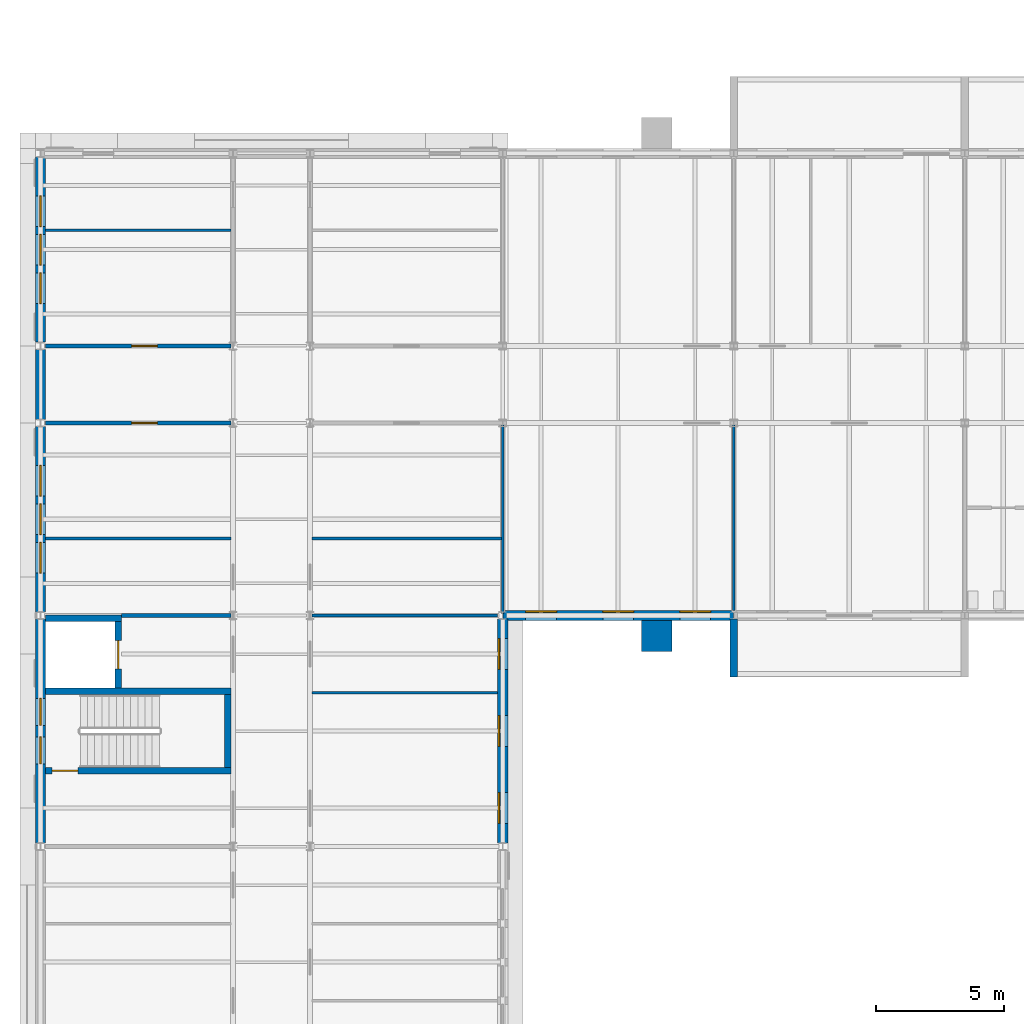
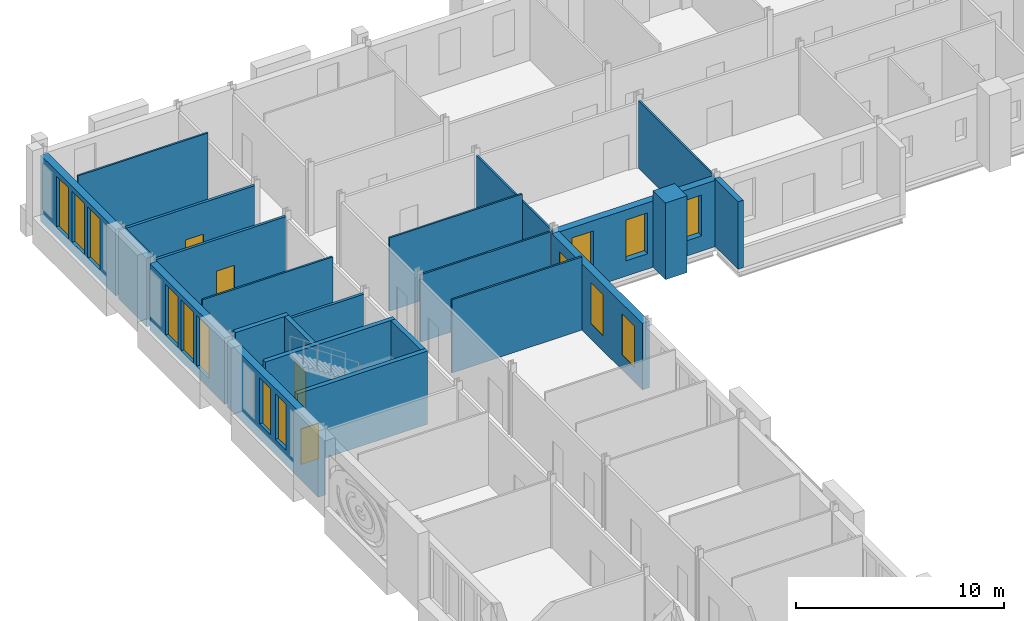
# One storey, part 81 of 131: 23 walls, 14 windows, 4 doors, 18 openings.
"""IFC4 building model written with IfcOpenShell, lengths in metres."""

import ifcopenshell
import ifcopenshell.guid

model = None  # the IFC model being written
_history = None  # IfcOwnerHistory: only IFC2X3 demands one
_inside = {}  # id of a spatial element -> (the spatial element, [elements in it])
_under = {}  # id of a project, library or spatial element -> (it, [spatial elements below it])
_declared = {}  # id of a project -> (the project, [libraries it declares])
_typed = {}  # id of a type object -> (the type object, [elements of that type])
_made_of = {}  # id of a material, layer set ... -> (it, [elements and type objects made of it])


def new_model(schema):
    """Start an empty IFC model of exactly this schema.

    Asked for "IFC4X3", IfcOpenShell would pick the latest addendum, in which some entities
    have other attributes; the version numbers below select the first issue.
    IFC2X3 requires an IfcOwnerHistory on every rooted entity: one is made here for all.
    """
    global model, _history
    if schema == "IFC4X3":
        model = ifcopenshell.file(schema_version=(4, 3, 0, 0))
    else:
        model = ifcopenshell.file(schema=schema)
    _inside.clear()
    _under.clear()
    _declared.clear()
    _typed.clear()
    _made_of.clear()
    _history = None
    if model.schema == "IFC2X3":
        org = make("IfcOrganization", Name="unknown")
        user = make(
            "IfcPersonAndOrganization",
            ThePerson=make("IfcPerson", FamilyName="unknown"),
            TheOrganization=org,
        )
        app = make(
            "IfcApplication",
            ApplicationDeveloper=org,
            Version="unknown",
            ApplicationFullName="unknown",
            ApplicationIdentifier="unknown",
        )
        _history = make(
            "IfcOwnerHistory",
            OwningUser=user,
            OwningApplication=app,
            ChangeAction="ADDED",
            CreationDate=0,
        )
    return model


def make(cls, **values):
    """One entity of the class cls with the attributes given. An attribute that is None is left unset."""
    return model.create_entity(
        cls, **{name: value for name, value in values.items() if value is not None}
    )


def rooted(cls, **values):
    """An entity with a GlobalId (a new one), such as an element, a storey or a relation."""
    return make(cls, GlobalId=ifcopenshell.guid.new(), OwnerHistory=_history, **values)


def si_unit(unit_type, name, prefix=None):
    """IfcSIUnit, for example si_unit("LENGTHUNIT", "METRE", prefix="MILLI")."""
    return make("IfcSIUnit", UnitType=unit_type, Prefix=prefix, Name=name)


def assignment(units):
    """IfcUnitAssignment: the units of a project."""
    return None if units is None else make("IfcUnitAssignment", Units=units)


def point(xyz):
    """IfcCartesianPoint."""
    return None if xyz is None else make("IfcCartesianPoint", Coordinates=xyz)


def direction(xyz):
    """IfcDirection."""
    return None if xyz is None else make("IfcDirection", DirectionRatios=xyz)


def frame(location, z_axis=None, x_axis=None):
    """IfcAxis2Placement3D, a coordinate frame: its origin and axes. An axis left out is left unset."""
    return make(
        "IfcAxis2Placement3D",
        Location=point(location),
        Axis=direction(z_axis),
        RefDirection=direction(x_axis),
    )


def frame_2d(location, x_axis=None):
    """IfcAxis2Placement2D, a coordinate frame in the plane: its origin and x axis."""
    return make(
        "IfcAxis2Placement2D", Location=point(location), RefDirection=direction(x_axis)
    )


def origin():
    """The frame at (0, 0, 0) with its axes left unset."""
    return frame((0.0, 0.0, 0.0))


def place(relative_to, where):
    """IfcLocalPlacement: puts the frame where relative to a parent placement (None: the world)."""
    return make(
        "IfcLocalPlacement", PlacementRelTo=relative_to, RelativePlacement=where
    )


def context(
    kind, dimensions, precision=None, world=None, true_north=None, identifier=None
):
    """IfcGeometricRepresentationContext, for example the 3D "Model" context."""
    return make(
        "IfcGeometricRepresentationContext",
        ContextIdentifier=identifier,
        ContextType=kind,
        CoordinateSpaceDimension=dimensions,
        Precision=precision,
        WorldCoordinateSystem=world,
        TrueNorth=true_north,
    )


def subcontext(parent, identifier, kind, view, scale=None):
    """IfcGeometricRepresentationSubContext, for example "Body" below "Model"."""
    return make(
        "IfcGeometricRepresentationSubContext",
        ContextIdentifier=identifier,
        ContextType=kind,
        ParentContext=parent,
        TargetScale=scale,
        TargetView=view,
    )


def project(units=None, contexts=None):
    """IfcProject with its units and contexts."""
    return rooted(
        "IfcProject",
        Name="project",
        RepresentationContexts=contexts,
        UnitsInContext=assignment(units),
    )


def spatial(cls, under=None, at=None, **own):
    """A site, building, storey or space (cls), placed at a placement, below another one or the project."""
    s = rooted(cls, ObjectPlacement=at, **own)
    if under is not None:
        _under.setdefault(under.id(), (under, []))[1].append(s)
    return s


def profile(cls, at=None, kind="AREA", **sizes):
    """A parametric profile (cls). Its sizes go by their IFC names, for example OverallWidth=200.0."""
    return make(cls, ProfileType=kind, Position=at, **sizes)


def rectangle(**sizes):
    """IfcRectangleProfileDef."""
    return profile("IfcRectangleProfileDef", **sizes)


def extrude(swept, where, along, depth):
    """IfcExtrudedAreaSolid: the profile swept, set in the frame where, extruded along a direction by depth."""
    return make(
        "IfcExtrudedAreaSolid",
        SweptArea=swept,
        Position=where,
        ExtrudedDirection=direction(along),
        Depth=depth,
    )


def shape(context_of_items, identifier, shape_type, items):
    """IfcShapeRepresentation: the items that make up one representation, for example the "Body"."""
    return make(
        "IfcShapeRepresentation",
        ContextOfItems=context_of_items,
        RepresentationIdentifier=identifier,
        RepresentationType=shape_type,
        Items=items,
    )


def material(Name=None, Category=None):
    """IfcMaterial."""
    return make("IfcMaterial", Name=Name, Category=Category)


def layer(
    of_material, thickness, ventilated=None, Name=None, Category=None, Priority=None
):
    """IfcMaterialLayer: one layer of a wall or slab, of a material (None: an air gap)."""
    return make(
        "IfcMaterialLayer",
        Material=of_material,
        LayerThickness=thickness,
        IsVentilated=ventilated,
        Name=Name,
        Category=Category,
        Priority=Priority,
    )


def layer_set(layers, Name=None):
    """IfcMaterialLayerSet."""
    return make("IfcMaterialLayerSet", MaterialLayers=layers, LayerSetName=Name)


def made_of(thing, what):
    """Note that an element or type object is made of a material, layer set ...; save() writes the relation."""
    if what is not None:
        _made_of.setdefault(what.id(), (what, []))[1].append(thing)
    return thing


def type_object(cls, material=None, **own):
    """A type object (cls), such as IfcWallType, which elements share."""
    return made_of(rooted(cls, **own), material)


def element(
    cls,
    number,
    at=None,
    inside=None,
    cuts=None,
    type_object=None,
    material=None,
    context=None,
    identifier="Body",
    shape_type=None,
    held_by="IfcProductDefinitionShape",
    body=None,
    shapes=None,
    **own,
):
    """One element of the class cls, such as IfcWall. Its Tag is "e" and its number.

    at: its placement. inside: the storey or other place that contains it. cuts: it is an
    opening in that element (IfcRelVoidsElement). A single representation is given by context,
    identifier, shape_type and body (its items); several are given by shapes. held_by: the class
    of the entity that holds the representations. save() writes the other relations.
    """
    e = rooted(cls, Tag="e%d" % number, ObjectPlacement=at, **own)
    if body is not None:
        shapes = [shape(context, identifier, shape_type, body)]
    if shapes is not None:
        e.Representation = make(held_by, Representations=shapes)
    if inside is not None:
        _inside.setdefault(inside.id(), (inside, []))[1].append(e)
    if cuts is not None:
        rooted(
            "IfcRelVoidsElement", RelatingBuildingElement=cuts, RelatedOpeningElement=e
        )
    if type_object is not None:
        _typed.setdefault(type_object.id(), (type_object, []))[1].append(e)
    return made_of(e, material)


def fill(opening, filler):
    """IfcRelFillsElement: the door or window that sits in an opening."""
    return rooted(
        "IfcRelFillsElement",
        RelatingOpeningElement=opening,
        RelatedBuildingElement=filler,
    )


def aggregate(whole, parts):
    """IfcRelAggregates: a whole, such as a stair, and the parts it consists of."""
    return rooted("IfcRelAggregates", RelatingObject=whole, RelatedObjects=parts)


def save(model, path):
    """Write the relations noted so far, then the file.

    IfcRelAggregates (storeys below a building ...), IfcRelContainedInSpatialStructure (elements
    in a storey), IfcRelDefinesByType, IfcRelAssociatesMaterial and IfcRelDeclares: one each for
    every whole, place, type object, material and project.
    """
    for whole, parts in _under.values():
        aggregate(whole, parts)
    for where, things in _inside.values():
        rooted(
            "IfcRelContainedInSpatialStructure",
            RelatedElements=things,
            RelatingStructure=where,
        )
    for kind, things in _typed.values():
        rooted("IfcRelDefinesByType", RelatedObjects=things, RelatingType=kind)
    for what, things in _made_of.values():
        rooted("IfcRelAssociatesMaterial", RelatedObjects=things, RelatingMaterial=what)
    for by, libraries in _declared.values():
        rooted("IfcRelDeclares", RelatingContext=by, RelatedDefinitions=libraries)
    model.write(path)


model = new_model("IFC4")

# Units and contexts
model_context = context("Model", 3, precision=1e-05, world=origin(), true_north=direction((0.0, 1.0)))
body_context = subcontext(model_context, "Body", "Model", "MODEL_VIEW")
ifc_project = project(units=[si_unit("LENGTHUNIT", "METRE"), si_unit("AREAUNIT", "SQUARE_METRE"), si_unit("VOLUMEUNIT", "CUBIC_METRE"), si_unit("PLANEANGLEUNIT", "RADIAN"), si_unit("MASSUNIT", "GRAM", prefix="KILO")], contexts=[model_context])

# Site, building, storey
site_placement = place(None, origin())
site = spatial("IfcSite", under=ifc_project, at=site_placement, CompositionType="ELEMENT")
building_placement = place(site_placement, origin())
building = spatial("IfcBuilding", under=site, at=building_placement, Name="Golden Quay Civic Hall", CompositionType="ELEMENT")
storey_placement = place(building_placement, frame((0.0, 0.0, 9.89990234375)))
storey = spatial("IfcBuildingStorey", under=building, at=storey_placement, Name="L02", CompositionType="ELEMENT", Elevation=9.89990234375)

# Wall, openings, windows
ifc_material_1 = material(Name="Brick, dark clay facing", Category="masonry")
ifc_layer_1 = layer(ifc_material_1, 0.39990234375)
ifc_layer_set_1 = layer_set([ifc_layer_1], Name="Brick external wall 400")
wall_type_1 = type_object("IfcWallType", Name="Brick external wall 400", PredefinedType="STANDARD", material=ifc_layer_set_1)
wall_1_placement = place(storey_placement, frame((18.0, 62.85498046875, 0.0), z_axis=(0.0, 0.0, 1.0), x_axis=(0.0, -1.0, 0.0)))
wall_1 = element("IfcWall", 1, at=wall_1_placement, inside=storey, type_object=wall_type_1, Name="Brick external wall 400 L02 1", PredefinedType="STANDARD", context=body_context, shape_type="SweptSolid", body=[
    extrude(rectangle(XDim=8.7099609375, YDim=0.39990234375, at=frame_2d((4.35498046875, 0.0))), origin(), (0.0, 0.0, 1.0), 3.900146484375),
])
opening_1_placement = place(wall_1_placement, frame((6.7548828125, 0.0, 0.89990234375)))
opening_1 = element("IfcOpeningElement", 2, at=opening_1_placement, cuts=wall_1, Name="Opening WN7", PredefinedType="OPENING", context=body_context, shape_type="SweptSolid", body=[
    extrude(rectangle(XDim=1.199951171875, YDim=2.39990234375, at=frame_2d((0.60009765625, 1.199951171875))), frame((0.0, 0.2099609375, 0.0), z_axis=(0.0, -1.0, 0.0), x_axis=(1.0, 0.0, 0.0)), (0.0, 0.0, 1.0), 0.419921875),
])
opening_2_placement = place(wall_1_placement, frame((3.7548828125, 0.0, 0.89990234375)))
opening_2 = element("IfcOpeningElement", 3, at=opening_2_placement, cuts=wall_1, Name="Opening WN7", PredefinedType="OPENING", context=body_context, shape_type="SweptSolid", body=[
    extrude(rectangle(XDim=1.199951171875, YDim=2.39990234375, at=frame_2d((0.60009765625, 1.199951171875))), frame((0.0, 0.2099609375, 0.0), z_axis=(0.0, -1.0, 0.0), x_axis=(1.0, 0.0, 0.0)), (0.0, 0.0, 1.0), 0.419921875),
])
opening_3_placement = place(wall_1_placement, frame((0.7548828125, 0.0, 0.89990234375)))
opening_3 = element("IfcOpeningElement", 4, at=opening_3_placement, cuts=wall_1, Name="Opening WN7", PredefinedType="OPENING", context=body_context, shape_type="SweptSolid", body=[
    extrude(rectangle(XDim=1.199951171875, YDim=2.39990234375, at=frame_2d((0.60009765625, 1.199951171875))), frame((0.0, 0.2099609375, 0.0), z_axis=(0.0, -1.0, 0.0), x_axis=(1.0, 0.0, 0.0)), (0.0, 0.0, 1.0), 0.419921875),
])
ifc_material_2 = material(Name="Aluminium frame, double glazed", Category="aluminium")
window_type_1 = type_object("IfcWindowType", Name="Window 1200 x 2400", PartitioningType="SINGLE_PANEL", PredefinedType="WINDOW", material=ifc_material_2)
window_1_placement = place(opening_1_placement, origin())
window_1 = element("IfcWindow", 5, at=window_1_placement, inside=storey, type_object=window_type_1, Name="Window 1200 x 2400 L02 1", OverallHeight=2.39990234375, OverallWidth=1.199951171875, PartitioningType="SINGLE_PANEL", PredefinedType="WINDOW", context=body_context, shape_type="SweptSolid", body=[
    extrude(rectangle(XDim=1.199951171875, YDim=2.39990234375, at=frame_2d((0.60009765625, 1.199951171875))), frame((0.0, -0.119873046875, 0.0), z_axis=(0.0, -1.0, 0.0), x_axis=(1.0, 0.0, 0.0)), (0.0, 0.0, 1.0), 0.06005859375),
])
fill(opening_1, window_1)
window_2_placement = place(opening_2_placement, origin())
window_2 = element("IfcWindow", 6, at=window_2_placement, inside=storey, type_object=window_type_1, Name="Window 1200 x 2400 L02 2", OverallHeight=2.39990234375, OverallWidth=1.199951171875, PartitioningType="SINGLE_PANEL", PredefinedType="WINDOW", context=body_context, shape_type="SweptSolid", body=[
    extrude(rectangle(XDim=1.199951171875, YDim=2.39990234375, at=frame_2d((0.60009765625, 1.199951171875))), frame((0.0, -0.119873046875, 0.0), z_axis=(0.0, -1.0, 0.0), x_axis=(1.0, 0.0, 0.0)), (0.0, 0.0, 1.0), 0.06005859375),
])
fill(opening_2, window_2)
window_3_placement = place(opening_3_placement, origin())
window_3 = element("IfcWindow", 7, at=window_3_placement, inside=storey, type_object=window_type_1, Name="Window 1200 x 2400 L02 3", OverallHeight=2.39990234375, OverallWidth=1.199951171875, PartitioningType="SINGLE_PANEL", PredefinedType="WINDOW", context=body_context, shape_type="SweptSolid", body=[
    extrude(rectangle(XDim=1.199951171875, YDim=2.39990234375, at=frame_2d((0.60009765625, 1.199951171875))), frame((0.0, -0.119873046875, 0.0), z_axis=(0.0, -1.0, 0.0), x_axis=(1.0, 0.0, 0.0)), (0.0, 0.0, 1.0), 0.06005859375),
])
fill(opening_3, window_3)

wall_2_placement = place(storey_placement, frame((26.990966796875, 63.0, 0.0), z_axis=(0.0, 0.0, 1.0), x_axis=(-1.0, 0.0, 0.0)))
wall_2 = element("IfcWall", 8, at=wall_2_placement, inside=storey, type_object=wall_type_1, Name="Brick external wall 400 L02 8", PredefinedType="STANDARD", context=body_context, shape_type="SweptSolid", body=[
    extrude(rectangle(XDim=8.981689453125, YDim=0.39990234375, at=frame_2d((4.49072265625, 0.0))), origin(), (0.0, 0.0, 1.0), 3.900146484375),
])
opening_4_placement = place(wall_2_placement, frame((6.89111328125, 0.0, 0.89990234375)))
opening_4 = element("IfcOpeningElement", 9, at=opening_4_placement, cuts=wall_2, Name="Opening WN7", PredefinedType="OPENING", context=body_context, shape_type="SweptSolid", body=[
    extrude(rectangle(XDim=1.199951171875, YDim=2.39990234375, at=frame_2d((0.60009765625, 1.199951171875))), frame((0.0, 0.2099609375, 0.0), z_axis=(0.0, -1.0, 0.0), x_axis=(1.0, 0.0, 0.0)), (0.0, 0.0, 1.0), 0.419921875),
])
opening_5_placement = place(wall_2_placement, frame((3.89111328125, 0.0, 0.89990234375)))
opening_5 = element("IfcOpeningElement", 10, at=opening_5_placement, cuts=wall_2, Name="Opening WN7", PredefinedType="OPENING", context=body_context, shape_type="SweptSolid", body=[
    extrude(rectangle(XDim=1.199951171875, YDim=2.39990234375, at=frame_2d((0.60009765625, 1.199951171875))), frame((0.0, 0.2099609375, 0.0), z_axis=(0.0, -1.0, 0.0), x_axis=(1.0, 0.0, 0.0)), (0.0, 0.0, 1.0), 0.419921875),
])
opening_6_placement = place(wall_2_placement, frame((0.89111328125, 0.0, 0.89990234375)))
opening_6 = element("IfcOpeningElement", 11, at=opening_6_placement, cuts=wall_2, Name="Opening WN7", PredefinedType="OPENING", context=body_context, shape_type="SweptSolid", body=[
    extrude(rectangle(XDim=1.199951171875, YDim=2.39990234375, at=frame_2d((0.60009765625, 1.199951171875))), frame((0.0, 0.2099609375, 0.0), z_axis=(0.0, -1.0, 0.0), x_axis=(1.0, 0.0, 0.0)), (0.0, 0.0, 1.0), 0.419921875),
])
window_4_placement = place(opening_4_placement, origin())
window_4 = element("IfcWindow", 12, at=window_4_placement, inside=storey, type_object=window_type_1, Name="Window 1200 x 2400 L02 16", OverallHeight=2.39990234375, OverallWidth=1.199951171875, PartitioningType="SINGLE_PANEL", PredefinedType="WINDOW", context=body_context, shape_type="SweptSolid", body=[
    extrude(rectangle(XDim=1.199951171875, YDim=2.39990234375, at=frame_2d((0.60009765625, 1.199951171875))), frame((0.0, -0.119873046875, 0.0), z_axis=(0.0, -1.0, 0.0), x_axis=(1.0, 0.0, 0.0)), (0.0, 0.0, 1.0), 0.06005859375),
])
fill(opening_4, window_4)
window_5_placement = place(opening_5_placement, origin())
window_5 = element("IfcWindow", 13, at=window_5_placement, inside=storey, type_object=window_type_1, Name="Window 1200 x 2400 L02 17", OverallHeight=2.39990234375, OverallWidth=1.199951171875, PartitioningType="SINGLE_PANEL", PredefinedType="WINDOW", context=body_context, shape_type="SweptSolid", body=[
    extrude(rectangle(XDim=1.199951171875, YDim=2.39990234375, at=frame_2d((0.60009765625, 1.199951171875))), frame((0.0, -0.119873046875, 0.0), z_axis=(0.0, -1.0, 0.0), x_axis=(1.0, 0.0, 0.0)), (0.0, 0.0, 1.0), 0.06005859375),
])
fill(opening_5, window_5)
window_6_placement = place(opening_6_placement, origin())
window_6 = element("IfcWindow", 14, at=window_6_placement, inside=storey, type_object=window_type_1, Name="Window 1200 x 2400 L02 18", OverallHeight=2.39990234375, OverallWidth=1.199951171875, PartitioningType="SINGLE_PANEL", PredefinedType="WINDOW", context=body_context, shape_type="SweptSolid", body=[
    extrude(rectangle(XDim=1.199951171875, YDim=2.39990234375, at=frame_2d((0.60009765625, 1.199951171875))), frame((0.0, -0.119873046875, 0.0), z_axis=(0.0, -1.0, 0.0), x_axis=(1.0, 0.0, 0.0)), (0.0, 0.0, 1.0), 0.06005859375),
])
fill(opening_6, window_6)

# Walls
ifc_material_3 = material(Name="Brick, dark clay facing", Category="masonry")
ifc_layer_2 = layer(ifc_material_3, 0.300048828125)
ifc_layer_set_2 = layer_set([ifc_layer_2], Name="Brick loggia wall 300")
wall_type_2 = type_object("IfcWallType", Name="Brick loggia wall 300", PredefinedType="STANDARD", material=ifc_layer_set_2)
wall_3_placement = place(storey_placement, frame((27.0, 62.864990234375, 0.0), z_axis=(0.0, 0.0, 1.0), x_axis=(0.0, -1.0, 0.0)))
element("IfcWall", 15, at=wall_3_placement, inside=storey, type_object=wall_type_2, Name="Brick loggia wall 300 L02 1", PredefinedType="STANDARD", context=body_context, shape_type="SweptSolid", body=[
    extrude(rectangle(XDim=2.264892578125, YDim=0.300048828125, at=frame_2d((1.13232421875, 0.0))), origin(), (0.0, 0.0, 1.0), 3.97021484375),
])
ifc_material_4 = material(Name="Brick, dark clay facing", Category="masonry")
ifc_layer_3 = layer(ifc_material_4, 1.199951171875)
ifc_layer_set_3 = layer_set([ifc_layer_3], Name="Brick pilaster 1200 x 1200")
wall_type_3 = type_object("IfcWallType", Name="Brick pilaster 1200 x 1200", PredefinedType="STANDARD", material=ifc_layer_set_3)
wall_4_placement = place(storey_placement, frame((23.39990234375, 62.199951171875, 0.0), z_axis=(0.0, 0.0, 1.0), x_axis=(1.0, 0.0, 0.0)))
element("IfcWall", 16, at=wall_4_placement, inside=storey, type_object=wall_type_3, Name="Brick pilaster 1200 x 1200 L02 4", PredefinedType="STANDARD", context=body_context, shape_type="SweptSolid", body=[
    extrude(rectangle(XDim=1.2001953125, YDim=1.199951171875, at=frame_2d((0.60009765625, 0.0))), origin(), (0.0, 0.0, 1.0), 4.5),
])

# Wall, opening, door
ifc_material_5 = material(Name="Concrete C40/50", Category="concrete")
ifc_layer_4 = layer(ifc_material_5, 0.25)
ifc_layer_set_4 = layer_set([ifc_layer_4], Name="Concrete core wall 250, Concrete C40/50")
wall_type_4 = type_object("IfcWallType", Name="Concrete core wall 250", PredefinedType="SHEAR", material=ifc_layer_set_4)
wall_5_placement = place(storey_placement, frame((0.199951171875, 56.949951171875, 0.0), z_axis=(0.0, 0.0, 1.0), x_axis=(1.0, 0.0, 0.0)))
wall_5 = element("IfcWall", 17, at=wall_5_placement, inside=storey, type_object=wall_type_4, Name="Core wall WO-N-W1", PredefinedType="SHEAR", context=body_context, shape_type="SweptSolid", body=[
    extrude(rectangle(XDim=7.22509765625, YDim=0.25, at=frame_2d((3.612548828125, 0.0))), origin(), (0.0, 0.0, 1.0), 4.300048828125),
])
opening_7_placement = place(wall_5_placement, frame((0.25, 0.0, 0.0)))
opening_7 = element("IfcOpeningElement", 18, at=opening_7_placement, cuts=wall_5, Name="Opening L02-D053", PredefinedType="OPENING", context=body_context, shape_type="SweptSolid", body=[
    extrude(rectangle(XDim=1.0, YDim=2.10009765625, at=frame_2d((0.5, 1.050048828125))), frame((0.0, 0.135009765625, 0.0), z_axis=(0.0, -1.0, 0.0), x_axis=(1.0, 0.0, 0.0)), (0.0, 0.0, 1.0), 0.27001953125),
])
ifc_material_6 = material(Name="Steel", Category="steel")
door_type_1 = type_object("IfcDoorType", Name="Steel fire door FD60 1000 x 2100", OperationType="SINGLE_SWING_LEFT", PredefinedType="DOOR", material=ifc_material_6)
door_1_placement = place(opening_7_placement, origin())
door_1 = element("IfcDoor", 19, at=door_1_placement, inside=storey, type_object=door_type_1, Name="Door L02-D053", OperationType="SINGLE_SWING_LEFT", OverallHeight=2.10009765625, OverallWidth=1.0, PredefinedType="DOOR", context=body_context, shape_type="SweptSolid", body=[
    extrude(rectangle(XDim=1.0, YDim=2.10009765625, at=frame_2d((0.5, 1.050048828125))), frame((0.0, 0.02490234375, 0.0), z_axis=(0.0, -1.0, 0.0), x_axis=(1.0, 0.0, 0.0)), (0.0, 0.0, 1.0), 0.050048828125),
])
fill(opening_7, door_1)

# Walls
wall_6_placement = place(storey_placement, frame((0.199951171875, 60.050048828125, 0.0), z_axis=(0.0, 0.0, 1.0), x_axis=(1.0, 0.0, 0.0)))
element("IfcWall", 20, at=wall_6_placement, inside=storey, type_object=wall_type_4, Name="Core wall WO-N-W2", PredefinedType="SHEAR", context=body_context, shape_type="SweptSolid", body=[
    extrude(rectangle(XDim=7.22509765625, YDim=0.25, at=frame_2d((3.612548828125, 0.0))), origin(), (0.0, 0.0, 1.0), 4.300048828125),
])
wall_7_placement = place(storey_placement, frame((7.300048828125, 57.074951171875, 0.0), z_axis=(0.0, 0.0, 1.0), x_axis=(0.0, 1.0, 0.0)))
element("IfcWall", 21, at=wall_7_placement, inside=storey, type_object=wall_type_4, Name="Core wall WO-N-W3", PredefinedType="SHEAR", context=body_context, shape_type="SweptSolid", body=[
    extrude(rectangle(XDim=2.85009765625, YDim=0.25, at=frame_2d((1.425048828125, 0.0))), origin(), (0.0, 0.0, 1.0), 4.300048828125),
])

# Wall, opening, door
wall_8_placement = place(storey_placement, frame((3.02490234375, 60.175048828125, 0.0), z_axis=(0.0, 0.0, 1.0), x_axis=(0.0, 1.0, 0.0)))
wall_8 = element("IfcWall", 22, at=wall_8_placement, inside=storey, type_object=wall_type_4, Name="Core wall WO-N-W4", PredefinedType="SHEAR", context=body_context, shape_type="SweptSolid", body=[
    extrude(rectangle(XDim=2.599853515625, YDim=0.25, at=frame_2d((1.2998046875, 0.0))), origin(), (0.0, 0.0, 1.0), 4.300048828125),
])
opening_8_placement = place(wall_8_placement, frame((0.75, 0.0, 0.0)))
opening_8 = element("IfcOpeningElement", 23, at=opening_8_placement, cuts=wall_8, Name="Opening L02-D068", PredefinedType="OPENING", context=body_context, shape_type="SweptSolid", body=[
    extrude(rectangle(XDim=1.10009765625, YDim=2.10009765625, at=frame_2d((0.550048828125, 1.050048828125))), frame((0.0, 0.135009765625, 0.0), z_axis=(0.0, -1.0, 0.0), x_axis=(1.0, 0.0, 0.0)), (0.0, 0.0, 1.0), 0.27001953125),
])
ifc_material_7 = material(Name="Steel", Category="steel")
door_type_2 = type_object("IfcDoorType", Name="Lift landing door 1100 x 2100", OperationType="SLIDING_TO_LEFT", PredefinedType="DOOR", material=ifc_material_7)
door_2_placement = place(opening_8_placement, origin())
door_2 = element("IfcDoor", 24, at=door_2_placement, inside=storey, type_object=door_type_2, Name="Lift landing door L02-D068 WO-N", OperationType="SLIDING_TO_LEFT", OverallHeight=2.10009765625, OverallWidth=1.10009765625, PredefinedType="DOOR", context=body_context, shape_type="SweptSolid", body=[
    extrude(rectangle(XDim=1.10009765625, YDim=2.10009765625, at=frame_2d((0.550048828125, 1.050048828125))), frame((0.0, 0.02490234375, 0.0), z_axis=(0.0, -1.0, 0.0), x_axis=(1.0, 0.0, 0.0)), (0.0, 0.0, 1.0), 0.050048828125),
])
fill(opening_8, door_2)

# Walls
wall_9_placement = place(storey_placement, frame((0.199951171875, 62.89990234375, 0.0), z_axis=(0.0, 0.0, 1.0), x_axis=(1.0, 0.0, 0.0)))
element("IfcWall", 25, at=wall_9_placement, inside=storey, type_object=wall_type_4, Name="Core wall WO-N-W5", PredefinedType="SHEAR", context=body_context, shape_type="SweptSolid", body=[
    extrude(rectangle(XDim=2.949951171875, YDim=0.25, at=frame_2d((1.47509765625, 0.0))), origin(), (0.0, 0.0, 1.0), 4.300048828125),
])
ifc_material_8 = material(Name="Plasterboard on steel studs", Category="steel")
ifc_layer_5 = layer(ifc_material_8, 0.10009765625)
ifc_layer_set_5 = layer_set([ifc_layer_5], Name="Partition 100 stud")
wall_type_5 = type_object("IfcWallType", Name="Partition 100 stud", PredefinedType="PARTITIONING", material=ifc_layer_set_5)
wall_10_placement = place(storey_placement, frame((10.574951171875, 60.0, 0.0), z_axis=(0.0, 0.0, 1.0), x_axis=(1.0, 0.0, 0.0)))
element("IfcWall", 26, at=wall_10_placement, inside=storey, type_object=wall_type_5, Name="Partition L02-023", PredefinedType="PARTITIONING", context=body_context, shape_type="SweptSolid", body=[
    extrude(rectangle(XDim=7.22509765625, YDim=0.10009765625, at=frame_2d((3.612548828125, 0.0))), origin(), (0.0, 0.0, 1.0), 4.300048828125),
])
wall_11_placement = place(storey_placement, frame((10.574951171875, 63.0, 0.0), z_axis=(0.0, 0.0, 1.0), x_axis=(1.0, 0.0, 0.0)))
element("IfcWall", 27, at=wall_11_placement, inside=storey, type_object=wall_type_5, Name="Partition L02-024", PredefinedType="PARTITIONING", context=body_context, shape_type="SweptSolid", body=[
    extrude(rectangle(XDim=7.22509765625, YDim=0.10009765625, at=frame_2d((3.612548828125, 0.0))), origin(), (0.0, 0.0, 1.0), 3.9501953125),
])
wall_12_placement = place(storey_placement, frame((0.199951171875, 66.0, 0.0), z_axis=(0.0, 0.0, 1.0), x_axis=(1.0, 0.0, 0.0)))
element("IfcWall", 28, at=wall_12_placement, inside=storey, type_object=wall_type_5, Name="Partition L02-038", PredefinedType="PARTITIONING", context=body_context, shape_type="SweptSolid", body=[
    extrude(rectangle(XDim=7.22509765625, YDim=0.10009765625, at=frame_2d((3.612548828125, 0.0))), origin(), (0.0, 0.0, 1.0), 4.300048828125),
])
wall_13_placement = place(storey_placement, frame((10.574951171875, 66.0, 0.0), z_axis=(0.0, 0.0, 1.0), x_axis=(1.0, 0.0, 0.0)))
element("IfcWall", 29, at=wall_13_placement, inside=storey, type_object=wall_type_5, Name="Partition L02-039", PredefinedType="PARTITIONING", context=body_context, shape_type="SweptSolid", body=[
    extrude(rectangle(XDim=7.375, YDim=0.10009765625, at=frame_2d((3.6875, 0.0))), origin(), (0.0, 0.0, 1.0), 4.300048828125),
])
wall_14_placement = place(storey_placement, frame((0.199951171875, 78.0, 0.0), z_axis=(0.0, 0.0, 1.0), x_axis=(1.0, 0.0, 0.0)))
element("IfcWall", 30, at=wall_14_placement, inside=storey, type_object=wall_type_5, Name="Partition L02-040", PredefinedType="PARTITIONING", context=body_context, shape_type="SweptSolid", body=[
    extrude(rectangle(XDim=7.22509765625, YDim=0.10009765625, at=frame_2d((3.612548828125, 0.0))), origin(), (0.0, 0.0, 1.0), 4.300048828125),
])
wall_15_placement = place(storey_placement, frame((18.0, 63.074951171875, 0.0), z_axis=(0.0, 0.0, 1.0), x_axis=(0.0, 1.0, 0.0)))
element("IfcWall", 31, at=wall_15_placement, inside=storey, type_object=wall_type_5, Name="Partition L02-042", PredefinedType="PARTITIONING", context=body_context, shape_type="SweptSolid", body=[
    extrude(rectangle(XDim=7.35009765625, YDim=0.10009765625, at=frame_2d((3.675048828125, 0.0))), origin(), (0.0, 0.0, 1.0), 3.880126953125),
])
wall_16_placement = place(storey_placement, frame((27.0, 63.199951171875, 0.0), z_axis=(0.0, 0.0, 1.0), x_axis=(0.0, 1.0, 0.0)))
element("IfcWall", 32, at=wall_16_placement, inside=storey, type_object=wall_type_5, Name="Partition L02-000", PredefinedType="PARTITIONING", context=body_context, shape_type="SweptSolid", body=[
    extrude(rectangle(XDim=7.22509765625, YDim=0.10009765625, at=frame_2d((3.612548828125, 0.0))), origin(), (0.0, 0.0, 1.0), 3.9501953125),
])
ifc_material_9 = material(Name="Plasterboard on steel studs", Category="steel")
ifc_layer_6 = layer(ifc_material_9, 0.14990234375)
ifc_layer_set_6 = layer_set([ifc_layer_6], Name="Partition 150 stud fire EI 60")
wall_type_6 = type_object("IfcWallType", Name="Partition 150 stud fire EI 60", PredefinedType="PARTITIONING", material=ifc_layer_set_6)
wall_17_placement = place(storey_placement, frame((3.14990234375, 63.0, 0.0), z_axis=(0.0, 0.0, 1.0), x_axis=(1.0, 0.0, 0.0)))
element("IfcWall", 33, at=wall_17_placement, inside=storey, type_object=wall_type_6, Name="Partition L02-030", PredefinedType="PARTITIONING", context=body_context, shape_type="SweptSolid", body=[
    extrude(rectangle(XDim=4.275146484375, YDim=0.14990234375, at=frame_2d((2.1376953125, 0.0))), origin(), (0.0, 0.0, 1.0), 3.9501953125),
])

# Wall, opening, door
wall_18_placement = place(storey_placement, frame((0.199951171875, 70.5, 0.0), z_axis=(0.0, 0.0, 1.0), x_axis=(1.0, 0.0, 0.0)))
wall_18 = element("IfcWall", 34, at=wall_18_placement, inside=storey, type_object=wall_type_6, Name="Partition L02-031", PredefinedType="PARTITIONING", context=body_context, shape_type="SweptSolid", body=[
    extrude(rectangle(XDim=7.22509765625, YDim=0.14990234375, at=frame_2d((3.612548828125, 0.0))), origin(), (0.0, 0.0, 1.0), 3.9501953125),
])
opening_9_placement = place(wall_18_placement, frame((3.35009765625, 0.0, 0.0)))
opening_9 = element("IfcOpeningElement", 35, at=opening_9_placement, cuts=wall_18, Name="Opening L02-D060", PredefinedType="OPENING", context=body_context, shape_type="SweptSolid", body=[
    extrude(rectangle(XDim=1.0, YDim=2.10009765625, at=frame_2d((0.5, 1.050048828125))), frame((0.0, 0.0849609375, 0.0), z_axis=(0.0, -1.0, 0.0), x_axis=(1.0, 0.0, 0.0)), (0.0, 0.0, 1.0), 0.169921875),
])
ifc_material_10 = material(Name="Steel", Category="steel")
door_type_3 = type_object("IfcDoorType", Name="Steel fire door FD30S 1000 x 2100", OperationType="SINGLE_SWING_LEFT", PredefinedType="DOOR", material=ifc_material_10)
door_3_placement = place(opening_9_placement, frame((1.0, 0.0, 0.0), z_axis=(0.0, 0.0, 1.0), x_axis=(-1.0, 0.0, 0.0)))
door_3 = element("IfcDoor", 36, at=door_3_placement, inside=storey, type_object=door_type_3, Name="Door L02-D060", OperationType="SINGLE_SWING_RIGHT", OverallHeight=2.10009765625, OverallWidth=1.0, PredefinedType="DOOR", context=body_context, shape_type="SweptSolid", body=[
    extrude(rectangle(XDim=1.0, YDim=2.10009765625, at=frame_2d((0.5, 1.050048828125))), frame((0.0, 0.025146484375, 0.0), z_axis=(0.0, -1.0, 0.0), x_axis=(1.0, 0.0, 0.0)), (0.0, 0.0, 1.0), 0.050048828125),
])
fill(opening_9, door_3)

wall_19_placement = place(storey_placement, frame((0.199951171875, 73.5, 0.0), z_axis=(0.0, 0.0, 1.0), x_axis=(1.0, 0.0, 0.0)))
wall_19 = element("IfcWall", 37, at=wall_19_placement, inside=storey, type_object=wall_type_6, Name="Partition L02-032", PredefinedType="PARTITIONING", context=body_context, shape_type="SweptSolid", body=[
    extrude(rectangle(XDim=7.22509765625, YDim=0.14990234375, at=frame_2d((3.612548828125, 0.0))), origin(), (0.0, 0.0, 1.0), 3.9501953125),
])
opening_10_placement = place(wall_19_placement, frame((3.35009765625, 0.0, 0.0)))
opening_10 = element("IfcOpeningElement", 38, at=opening_10_placement, cuts=wall_19, Name="Opening L02-D063", PredefinedType="OPENING", context=body_context, shape_type="SweptSolid", body=[
    extrude(rectangle(XDim=1.0, YDim=2.10009765625, at=frame_2d((0.5, 1.050048828125))), frame((0.0, 0.0849609375, 0.0), z_axis=(0.0, -1.0, 0.0), x_axis=(1.0, 0.0, 0.0)), (0.0, 0.0, 1.0), 0.169921875),
])
door_4_placement = place(opening_10_placement, origin())
door_4 = element("IfcDoor", 39, at=door_4_placement, inside=storey, type_object=door_type_3, Name="Door L02-D063", OperationType="SINGLE_SWING_LEFT", OverallHeight=2.10009765625, OverallWidth=1.0, PredefinedType="DOOR", context=body_context, shape_type="SweptSolid", body=[
    extrude(rectangle(XDim=1.0, YDim=2.10009765625, at=frame_2d((0.5, 1.050048828125))), frame((0.0, 0.02490234375, 0.0), z_axis=(0.0, -1.0, 0.0), x_axis=(1.0, 0.0, 0.0)), (0.0, 0.0, 1.0), 0.050048828125),
])
fill(opening_10, door_4)

# Wall, openings, windows
ifc_material_11 = material(Name="Clay block, rendered, cream")
ifc_layer_7 = layer(ifc_material_11, 0.39990234375)
ifc_layer_set_7 = layer_set([ifc_layer_7], Name="Rendered block external wall 400")
wall_type_7 = type_object("IfcWallType", Name="Rendered block external wall 400", PredefinedType="STANDARD", material=ifc_layer_set_7)
wall_20_placement = place(storey_placement, frame((0.0, 63.14501953125, 0.0), z_axis=(0.0, 0.0, 1.0), x_axis=(0.0, 1.0, 0.0)))
wall_20 = element("IfcWall", 40, at=wall_20_placement, inside=storey, type_object=wall_type_7, Name="Rendered block external wall 400 L02 6", PredefinedType="STANDARD", context=body_context, shape_type="SweptSolid", body=[
    extrude(rectangle(XDim=7.2099609375, YDim=0.39990234375, at=frame_2d((3.60498046875, 0.0))), origin(), (0.0, 0.0, 1.0), 3.900146484375),
])
opening_11_placement = place(wall_20_placement, frame((1.5048828125, 0.0, 0.60009765625)))
opening_11 = element("IfcOpeningElement", 41, at=opening_11_placement, cuts=wall_20, Name="Opening WN5", PredefinedType="OPENING", context=body_context, shape_type="SweptSolid", body=[
    extrude(rectangle(XDim=1.199951171875, YDim=3.0, at=frame_2d((0.60009765625, 1.5))), frame((0.0, 0.2099609375, 0.0), z_axis=(0.0, -1.0, 0.0), x_axis=(1.0, 0.0, 0.0)), (0.0, 0.0, 1.0), 0.419921875),
])
opening_12_placement = place(wall_20_placement, frame((3.0048828125, 0.0, 0.60009765625)))
opening_12 = element("IfcOpeningElement", 42, at=opening_12_placement, cuts=wall_20, Name="Opening WN5", PredefinedType="OPENING", context=body_context, shape_type="SweptSolid", body=[
    extrude(rectangle(XDim=1.199951171875, YDim=3.0, at=frame_2d((0.60009765625, 1.5))), frame((0.0, 0.2099609375, 0.0), z_axis=(0.0, -1.0, 0.0), x_axis=(1.0, 0.0, 0.0)), (0.0, 0.0, 1.0), 0.419921875),
])
opening_13_placement = place(wall_20_placement, frame((4.5048828125, 0.0, 0.60009765625)))
opening_13 = element("IfcOpeningElement", 43, at=opening_13_placement, cuts=wall_20, Name="Opening WN5", PredefinedType="OPENING", context=body_context, shape_type="SweptSolid", body=[
    extrude(rectangle(XDim=1.199951171875, YDim=3.0, at=frame_2d((0.60009765625, 1.5))), frame((0.0, 0.2099609375, 0.0), z_axis=(0.0, -1.0, 0.0), x_axis=(1.0, 0.0, 0.0)), (0.0, 0.0, 1.0), 0.419921875),
])
ifc_material_12 = material(Name="Aluminium frame, double glazed", Category="aluminium")
window_type_2 = type_object("IfcWindowType", Name="Golden grid window 1200 x 3000", PartitioningType="SINGLE_PANEL", PredefinedType="WINDOW", material=ifc_material_12)
window_7_placement = place(opening_11_placement, origin())
window_7 = element("IfcWindow", 44, at=window_7_placement, inside=storey, type_object=window_type_2, Name="Golden grid window 1200 x 3000 L02 9", OverallHeight=3.0, OverallWidth=1.199951171875, PartitioningType="SINGLE_PANEL", PredefinedType="WINDOW", context=body_context, shape_type="SweptSolid", body=[
    extrude(rectangle(XDim=1.199951171875, YDim=3.0, at=frame_2d((0.60009765625, 1.5))), frame((0.0, 0.030029296875, 0.0), z_axis=(0.0, -1.0, 0.0), x_axis=(1.0, 0.0, 0.0)), (0.0, 0.0, 1.0), 0.06005859375),
])
fill(opening_11, window_7)
window_8_placement = place(opening_12_placement, origin())
window_8 = element("IfcWindow", 45, at=window_8_placement, inside=storey, type_object=window_type_2, Name="Golden grid window 1200 x 3000 L02 10", OverallHeight=3.0, OverallWidth=1.199951171875, PartitioningType="SINGLE_PANEL", PredefinedType="WINDOW", context=body_context, shape_type="SweptSolid", body=[
    extrude(rectangle(XDim=1.199951171875, YDim=3.0, at=frame_2d((0.60009765625, 1.5))), frame((0.0, 0.030029296875, 0.0), z_axis=(0.0, -1.0, 0.0), x_axis=(1.0, 0.0, 0.0)), (0.0, 0.0, 1.0), 0.06005859375),
])
fill(opening_12, window_8)
window_9_placement = place(opening_13_placement, origin())
window_9 = element("IfcWindow", 46, at=window_9_placement, inside=storey, type_object=window_type_2, Name="Golden grid window 1200 x 3000 L02 11", OverallHeight=3.0, OverallWidth=1.199951171875, PartitioningType="SINGLE_PANEL", PredefinedType="WINDOW", context=body_context, shape_type="SweptSolid", body=[
    extrude(rectangle(XDim=1.199951171875, YDim=3.0, at=frame_2d((0.60009765625, 1.5))), frame((0.0, 0.030029296875, 0.0), z_axis=(0.0, -1.0, 0.0), x_axis=(1.0, 0.0, 0.0)), (0.0, 0.0, 1.0), 0.06005859375),
])
fill(opening_13, window_9)

# Wall
wall_21_placement = place(storey_placement, frame((0.0, 70.64501953125, 0.0), z_axis=(0.0, 0.0, 1.0), x_axis=(0.0, 1.0, 0.0)))
element("IfcWall", 47, at=wall_21_placement, inside=storey, type_object=wall_type_7, Name="Rendered block external wall 400 L02 7", PredefinedType="STANDARD", context=body_context, shape_type="SweptSolid", body=[
    extrude(rectangle(XDim=2.7099609375, YDim=0.39990234375, at=frame_2d((1.35498046875, 0.0))), origin(), (0.0, 0.0, 1.0), 4.030029296875),
])

# Wall, openings, windows
wall_22_placement = place(storey_placement, frame((0.0, 73.64501953125, 0.0), z_axis=(0.0, 0.0, 1.0), x_axis=(0.0, 1.0, 0.0)))
wall_22 = element("IfcWall", 48, at=wall_22_placement, inside=storey, type_object=wall_type_7, Name="Rendered block external wall 400 L02 8", PredefinedType="STANDARD", context=body_context, shape_type="SweptSolid", body=[
    extrude(rectangle(XDim=7.2099609375, YDim=0.39990234375, at=frame_2d((3.60498046875, 0.0))), origin(), (0.0, 0.0, 1.0), 3.900146484375),
])
opening_14_placement = place(wall_22_placement, frame((1.5048828125, 0.0, 0.60009765625)))
opening_14 = element("IfcOpeningElement", 49, at=opening_14_placement, cuts=wall_22, Name="Opening WN5", PredefinedType="OPENING", context=body_context, shape_type="SweptSolid", body=[
    extrude(rectangle(XDim=1.199951171875, YDim=3.0, at=frame_2d((0.60009765625, 1.5))), frame((0.0, 0.2099609375, 0.0), z_axis=(0.0, -1.0, 0.0), x_axis=(1.0, 0.0, 0.0)), (0.0, 0.0, 1.0), 0.419921875),
])
opening_15_placement = place(wall_22_placement, frame((3.0048828125, 0.0, 0.60009765625)))
opening_15 = element("IfcOpeningElement", 50, at=opening_15_placement, cuts=wall_22, Name="Opening WN5", PredefinedType="OPENING", context=body_context, shape_type="SweptSolid", body=[
    extrude(rectangle(XDim=1.199951171875, YDim=3.0, at=frame_2d((0.60009765625, 1.5))), frame((0.0, 0.2099609375, 0.0), z_axis=(0.0, -1.0, 0.0), x_axis=(1.0, 0.0, 0.0)), (0.0, 0.0, 1.0), 0.419921875),
])
opening_16_placement = place(wall_22_placement, frame((4.5048828125, 0.0, 0.60009765625)))
opening_16 = element("IfcOpeningElement", 51, at=opening_16_placement, cuts=wall_22, Name="Opening WN5", PredefinedType="OPENING", context=body_context, shape_type="SweptSolid", body=[
    extrude(rectangle(XDim=1.199951171875, YDim=3.0, at=frame_2d((0.60009765625, 1.5))), frame((0.0, 0.2099609375, 0.0), z_axis=(0.0, -1.0, 0.0), x_axis=(1.0, 0.0, 0.0)), (0.0, 0.0, 1.0), 0.419921875),
])
window_10_placement = place(opening_14_placement, origin())
window_10 = element("IfcWindow", 52, at=window_10_placement, inside=storey, type_object=window_type_2, Name="Golden grid window 1200 x 3000 L02 12", OverallHeight=3.0, OverallWidth=1.199951171875, PartitioningType="SINGLE_PANEL", PredefinedType="WINDOW", context=body_context, shape_type="SweptSolid", body=[
    extrude(rectangle(XDim=1.199951171875, YDim=3.0, at=frame_2d((0.60009765625, 1.5))), frame((0.0, 0.030029296875, 0.0), z_axis=(0.0, -1.0, 0.0), x_axis=(1.0, 0.0, 0.0)), (0.0, 0.0, 1.0), 0.06005859375),
])
fill(opening_14, window_10)
window_11_placement = place(opening_15_placement, origin())
window_11 = element("IfcWindow", 53, at=window_11_placement, inside=storey, type_object=window_type_2, Name="Golden grid window 1200 x 3000 L02 13", OverallHeight=3.0, OverallWidth=1.199951171875, PartitioningType="SINGLE_PANEL", PredefinedType="WINDOW", context=body_context, shape_type="SweptSolid", body=[
    extrude(rectangle(XDim=1.199951171875, YDim=3.0, at=frame_2d((0.60009765625, 1.5))), frame((0.0, 0.030029296875, 0.0), z_axis=(0.0, -1.0, 0.0), x_axis=(1.0, 0.0, 0.0)), (0.0, 0.0, 1.0), 0.06005859375),
])
fill(opening_15, window_11)
window_12_placement = place(opening_16_placement, origin())
window_12 = element("IfcWindow", 54, at=window_12_placement, inside=storey, type_object=window_type_2, Name="Golden grid window 1200 x 3000 L02 14", OverallHeight=3.0, OverallWidth=1.199951171875, PartitioningType="SINGLE_PANEL", PredefinedType="WINDOW", context=body_context, shape_type="SweptSolid", body=[
    extrude(rectangle(XDim=1.199951171875, YDim=3.0, at=frame_2d((0.60009765625, 1.5))), frame((0.0, 0.030029296875, 0.0), z_axis=(0.0, -1.0, 0.0), x_axis=(1.0, 0.0, 0.0)), (0.0, 0.0, 1.0), 0.06005859375),
])
fill(opening_16, window_12)

ifc_material_13 = material(Name="Clay block, rendered, cream")
ifc_layer_8 = layer(ifc_material_13, 0.39990234375)
ifc_layer_set_8 = layer_set([ifc_layer_8], Name="Rendered block external wall 400 fire EI 60")
wall_type_8 = type_object("IfcWallType", Name="Rendered block external wall 400 fire EI 60", PredefinedType="STANDARD", material=ifc_layer_set_8)
wall_23_placement = place(storey_placement, frame((0.0, 54.14501953125, 0.0), z_axis=(0.0, 0.0, 1.0), x_axis=(0.0, 1.0, 0.0)))
wall_23 = element("IfcWall", 55, at=wall_23_placement, inside=storey, type_object=wall_type_8, Name="Rendered block external wall 400 fire EI 60 L02 2", PredefinedType="STANDARD", context=body_context, shape_type="SweptSolid", body=[
    extrude(rectangle(XDim=8.7099609375, YDim=0.39990234375, at=frame_2d((4.35498046875, 0.0))), origin(), (0.0, 0.0, 1.0), 3.900146484375),
])
opening_17_placement = place(wall_23_placement, frame((3.080078125, 0.0, 0.89990234375)))
opening_17 = element("IfcOpeningElement", 56, at=opening_17_placement, cuts=wall_23, Name="Opening WN6", PredefinedType="OPENING", context=body_context, shape_type="SweptSolid", body=[
    extrude(rectangle(XDim=1.050048828125, YDim=2.699951171875, at=frame_2d((0.52490234375, 1.35009765625))), frame((0.0, 0.2099609375, 0.0), z_axis=(0.0, -1.0, 0.0), x_axis=(1.0, 0.0, 0.0)), (0.0, 0.0, 1.0), 0.419921875),
])
opening_18_placement = place(wall_23_placement, frame((4.580078125, 0.0, 0.89990234375)))
opening_18 = element("IfcOpeningElement", 57, at=opening_18_placement, cuts=wall_23, Name="Opening WN6", PredefinedType="OPENING", context=body_context, shape_type="SweptSolid", body=[
    extrude(rectangle(XDim=1.050048828125, YDim=2.699951171875, at=frame_2d((0.52490234375, 1.35009765625))), frame((0.0, 0.2099609375, 0.0), z_axis=(0.0, -1.0, 0.0), x_axis=(1.0, 0.0, 0.0)), (0.0, 0.0, 1.0), 0.419921875),
])
ifc_material_14 = material(Name="Aluminium frame, double glazed", Category="aluminium")
window_type_3 = type_object("IfcWindowType", Name="Stair light window 1050 x 2700", PartitioningType="SINGLE_PANEL", PredefinedType="WINDOW", material=ifc_material_14)
window_13_placement = place(opening_17_placement, origin())
window_13 = element("IfcWindow", 58, at=window_13_placement, inside=storey, type_object=window_type_3, Name="Stair light window 1050 x 2700 L02 3", OverallHeight=2.699951171875, OverallWidth=1.050048828125, PartitioningType="SINGLE_PANEL", PredefinedType="WINDOW", context=body_context, shape_type="SweptSolid", body=[
    extrude(rectangle(XDim=1.050048828125, YDim=2.699951171875, at=frame_2d((0.52490234375, 1.35009765625))), frame((0.0, 0.030029296875, 0.0), z_axis=(0.0, -1.0, 0.0), x_axis=(1.0, 0.0, 0.0)), (0.0, 0.0, 1.0), 0.06005859375),
])
fill(opening_17, window_13)
window_14_placement = place(opening_18_placement, origin())
window_14 = element("IfcWindow", 59, at=window_14_placement, inside=storey, type_object=window_type_3, Name="Stair light window 1050 x 2700 L02 4", OverallHeight=2.699951171875, OverallWidth=1.050048828125, PartitioningType="SINGLE_PANEL", PredefinedType="WINDOW", context=body_context, shape_type="SweptSolid", body=[
    extrude(rectangle(XDim=1.050048828125, YDim=2.699951171875, at=frame_2d((0.52490234375, 1.35009765625))), frame((0.0, 0.030029296875, 0.0), z_axis=(0.0, -1.0, 0.0), x_axis=(1.0, 0.0, 0.0)), (0.0, 0.0, 1.0), 0.06005859375),
])
fill(opening_18, window_14)

save(model, "model.ifc")
